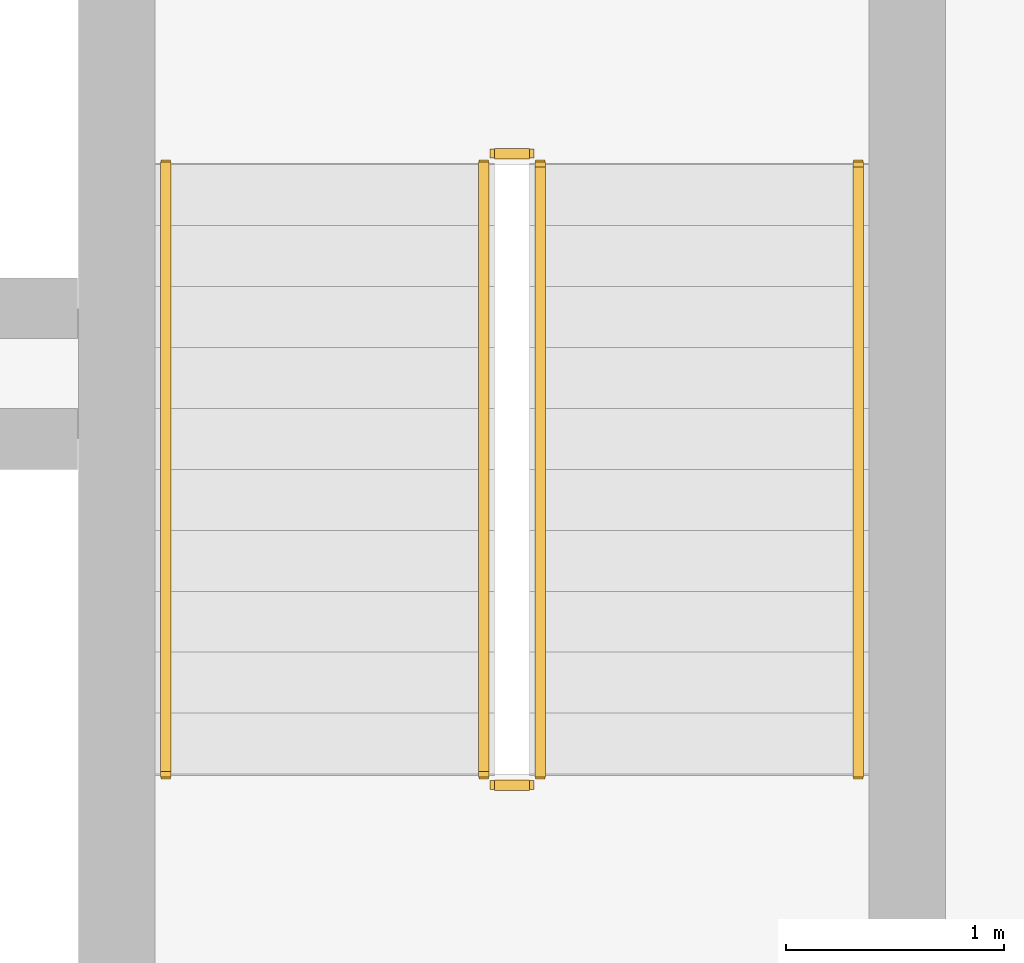
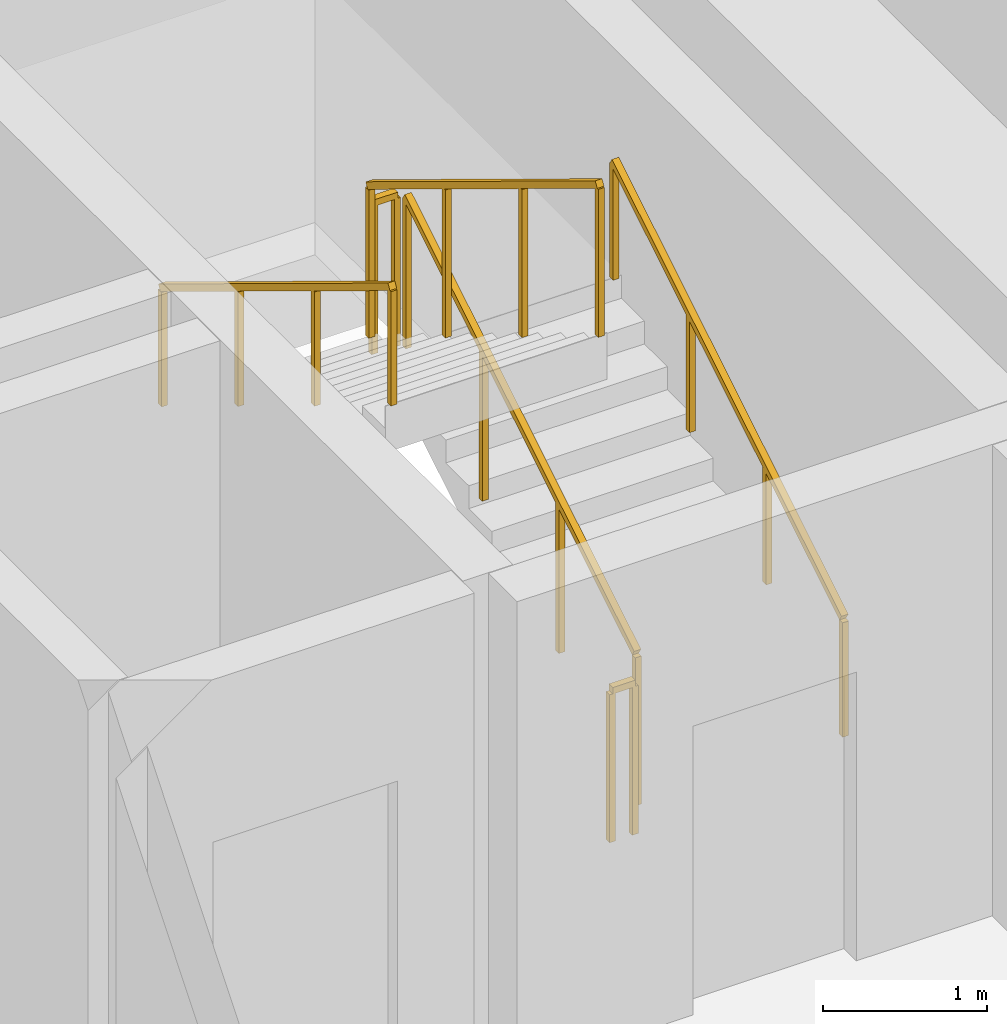
# One storey, part 14 of 14: 6 railings.
"""IFC4 building model written with IfcOpenShell, lengths in metres."""

from ifc_helpers import new_model, si_unit, direction, frame, origin, origin_2d, place, context, subcontext, project, spatial, rectangle, extrude, material, type_object, element, save


model = new_model("IFC4")

# Units and contexts
model_context = context("Model", 3, precision=1e-05, world=origin(), true_north=direction((0.0, 1.0)))
body_context = subcontext(model_context, "Body", "Model", "MODEL_VIEW")
ifc_project = project(units=[si_unit("LENGTHUNIT", "METRE"), si_unit("AREAUNIT", "SQUARE_METRE"), si_unit("VOLUMEUNIT", "CUBIC_METRE"), si_unit("PLANEANGLEUNIT", "RADIAN"), si_unit("MASSUNIT", "GRAM", prefix="KILO")], contexts=[model_context])

# Site, building, storey
site_placement = place(None, origin())
site = spatial("IfcSite", under=ifc_project, at=site_placement, CompositionType="ELEMENT")
building_placement = place(site_placement, origin())
building = spatial("IfcBuilding", under=site, at=building_placement, Name="Kaelvorn Grand Hotel", CompositionType="ELEMENT")
storey_placement = place(building_placement, frame((0.0, 0.0, 126.800048828125)))
storey = spatial("IfcBuildingStorey", under=building, at=storey_placement, Name="L30", CompositionType="ELEMENT", Elevation=126.800048828125)

# Railings
ifc_material = material(Name="Stainless Steel", Category="steel")
railing_type_1 = type_object("IfcRailingType", Name="RL-HANDRAIL-900", PredefinedType="HANDRAIL", material=ifc_material)
railing_1_placement = place(storey_placement, frame((66.550048828125, 41.760009765625, 0.17041015625)))
element("IfcRailing", 1, at=railing_1_placement, inside=storey, type_object=railing_type_1, Name="L30 ST3 stair handrail 1", PredefinedType="HANDRAIL", context=body_context, shape_type="SweptSolid", body=[
    extrude(rectangle(XDim=0.048095703125, YDim=0.048095703125, at=origin_2d()), frame((0.0, 0.0, 0.8759765625), z_axis=(0.0, 0.854169791009, 0.51999420009), x_axis=(-1.0, 0.0, 0.0)), (0.0, 0.0, 1.0), 3.278076171875),
    extrude(rectangle(XDim=0.0419921875, YDim=0.0419921875, at=origin_2d()), origin(), (0.0, 0.0, 1.0), 0.851806640625),
    extrude(rectangle(XDim=0.0419921875, YDim=0.0419921875, at=origin_2d()), frame((0.0, 0.933349609375, 0.568115234375)), (0.0, 0.0, 1.0), 0.851806640625),
    extrude(rectangle(XDim=0.0419921875, YDim=0.0419921875, at=origin_2d()), frame((0.0, 1.86669921875, 1.136474609375)), (0.0, 0.0, 1.0), 0.851806640625),
    extrude(rectangle(XDim=0.0419921875, YDim=0.0419921875, at=origin_2d()), frame((0.0, 2.800048828125, 1.70458984375)), (0.0, 0.0, 1.0), 0.851806640625),
])
railing_2_placement = place(storey_placement, frame((63.3701171875, 44.56005859375, 2.04541015625)))
element("IfcRailing", 2, at=railing_2_placement, inside=storey, type_object=railing_type_1, Name="L30 ST3 stair handrail 2", PredefinedType="HANDRAIL", context=body_context, shape_type="SweptSolid", body=[
    extrude(rectangle(XDim=0.048095703125, YDim=0.048095703125, at=origin_2d()), frame((0.0, 0.0, 0.8759765625), z_axis=(0.0, -0.854169791009, 0.51999420009), x_axis=(1.0, 0.0, 0.0)), (0.0, 0.0, 1.0), 3.278076171875),
    extrude(rectangle(XDim=0.0419921875, YDim=0.0419921875, at=origin_2d()), origin(), (0.0, 0.0, 1.0), 0.851806640625),
    extrude(rectangle(XDim=0.0419921875, YDim=0.0419921875, at=origin_2d()), frame((0.0, -0.933349609375, 0.568115234375)), (0.0, 0.0, 1.0), 0.851806640625),
    extrude(rectangle(XDim=0.0419921875, YDim=0.0419921875, at=origin_2d()), frame((0.0, -1.86669921875, 1.136474609375)), (0.0, 0.0, 1.0), 0.851806640625),
    extrude(rectangle(XDim=0.0419921875, YDim=0.0419921875, at=origin_2d()), frame((0.0, -2.800048828125, 1.70458984375)), (0.0, 0.0, 1.0), 0.851806640625),
])
railing_type_2 = type_object("IfcRailingType", Name="RL-STAIR-GUARD-1150", PredefinedType="BALUSTRADE", material=ifc_material)
railing_3_placement = place(storey_placement, frame((65.090087890625, 41.760009765625, 0.17041015625)))
element("IfcRailing", 3, at=railing_3_placement, inside=storey, type_object=railing_type_2, Name="L30 ST3 stair guard 1", PredefinedType="BALUSTRADE", context=body_context, shape_type="SweptSolid", body=[
    extrude(rectangle(XDim=0.048095703125, YDim=0.048095703125, at=origin_2d()), frame((0.0, 0.0, 1.1259765625), z_axis=(0.0, 0.854169791009, 0.51999420009), x_axis=(-1.0, 0.0, 0.0)), (0.0, 0.0, 1.0), 3.278076171875),
    extrude(rectangle(XDim=0.0419921875, YDim=0.0419921875, at=origin_2d()), origin(), (0.0, 0.0, 1.0), 1.101806640625),
    extrude(rectangle(XDim=0.0419921875, YDim=0.0419921875, at=origin_2d()), frame((0.0, 0.933349609375, 0.568115234375)), (0.0, 0.0, 1.0), 1.101806640625),
    extrude(rectangle(XDim=0.0419921875, YDim=0.0419921875, at=origin_2d()), frame((0.0, 1.86669921875, 1.136474609375)), (0.0, 0.0, 1.0), 1.101806640625),
    extrude(rectangle(XDim=0.0419921875, YDim=0.0419921875, at=origin_2d()), frame((0.0, 2.800048828125, 1.70458984375)), (0.0, 0.0, 1.0), 1.101806640625),
])
railing_4_placement = place(storey_placement, frame((65.0400390625, 44.610107421875, 1.875)))
element("IfcRailing", 4, at=railing_4_placement, inside=storey, type_object=railing_type_2, Name="L30 ST3 stair guard 2", PredefinedType="BALUSTRADE", context=body_context, shape_type="SweptSolid", body=[
    extrude(rectangle(XDim=0.048095703125, YDim=0.048095703125, at=origin_2d()), frame((0.0, 0.0, 1.1259765625), z_axis=(-1.0, 0.0, 0.0), x_axis=(0.0, -1.0, 0.0)), (0.0, 0.0, 1.0), 0.16015625),
    extrude(rectangle(XDim=0.0419921875, YDim=0.0419921875, at=origin_2d()), origin(), (0.0, 0.0, 1.0), 1.101806640625),
    extrude(rectangle(XDim=0.0419921875, YDim=0.0419921875, at=origin_2d()), frame((-0.16015625, 0.0, 0.0)), (0.0, 0.0, 1.0), 1.101806640625),
])
railing_5_placement = place(storey_placement, frame((64.830078125, 44.56005859375, 2.04541015625)))
element("IfcRailing", 5, at=railing_5_placement, inside=storey, type_object=railing_type_2, Name="L30 ST3 stair guard 3", PredefinedType="BALUSTRADE", context=body_context, shape_type="SweptSolid", body=[
    extrude(rectangle(XDim=0.048095703125, YDim=0.048095703125, at=origin_2d()), frame((0.0, 0.0, 1.1259765625), z_axis=(0.0, -0.854169791009, 0.51999420009), x_axis=(1.0, 0.0, 0.0)), (0.0, 0.0, 1.0), 3.278076171875),
    extrude(rectangle(XDim=0.0419921875, YDim=0.0419921875, at=origin_2d()), origin(), (0.0, 0.0, 1.0), 1.101806640625),
    extrude(rectangle(XDim=0.0419921875, YDim=0.0419921875, at=origin_2d()), frame((0.0, -0.933349609375, 0.568115234375)), (0.0, 0.0, 1.0), 1.101806640625),
    extrude(rectangle(XDim=0.0419921875, YDim=0.0419921875, at=origin_2d()), frame((0.0, -1.86669921875, 1.136474609375)), (0.0, 0.0, 1.0), 1.101806640625),
    extrude(rectangle(XDim=0.0419921875, YDim=0.0419921875, at=origin_2d()), frame((0.0, -2.800048828125, 1.70458984375)), (0.0, 0.0, 1.0), 1.101806640625),
])
railing_6_placement = place(storey_placement, frame((65.0400390625, 41.7099609375, 0.0)))
element("IfcRailing", 6, at=railing_6_placement, inside=storey, type_object=railing_type_2, Name="L30 ST3 stair guard 4", PredefinedType="BALUSTRADE", context=body_context, shape_type="SweptSolid", body=[
    extrude(rectangle(XDim=0.048095703125, YDim=0.048095703125, at=origin_2d()), frame((0.0, 0.0, 1.1259765625), z_axis=(-1.0, 0.0, 0.0), x_axis=(0.0, -1.0, 0.0)), (0.0, 0.0, 1.0), 0.16015625),
    extrude(rectangle(XDim=0.0419921875, YDim=0.0419921875, at=origin_2d()), origin(), (0.0, 0.0, 1.0), 1.101806640625),
    extrude(rectangle(XDim=0.0419921875, YDim=0.0419921875, at=origin_2d()), frame((-0.16015625, 0.0, 0.0)), (0.0, 0.0, 1.0), 1.101806640625),
])

save(model, "model.ifc")
